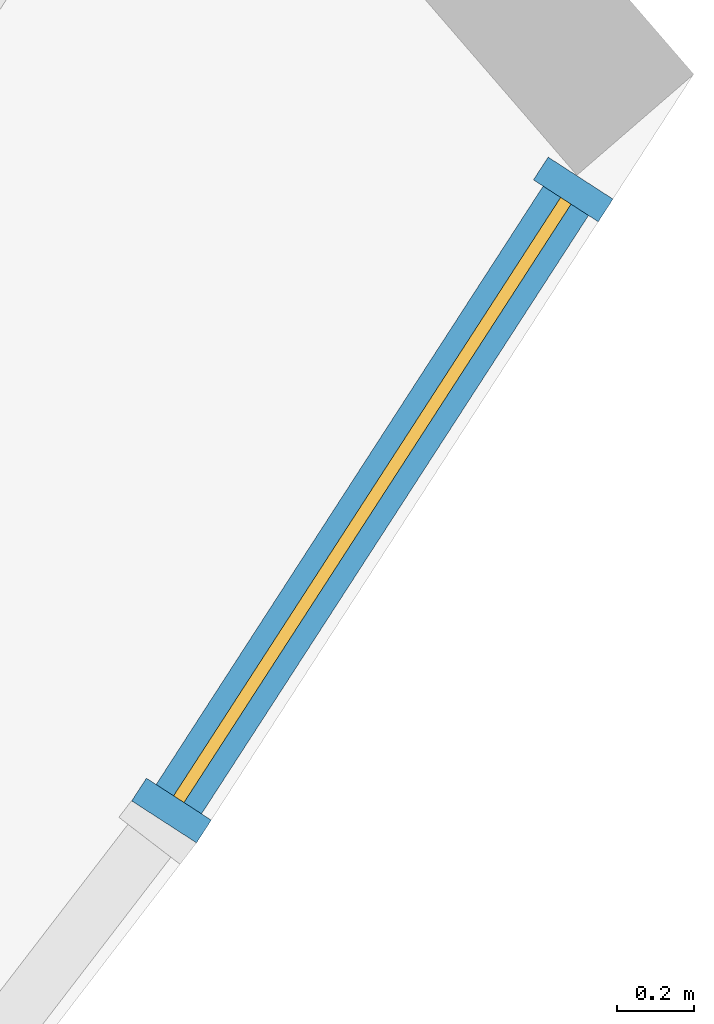
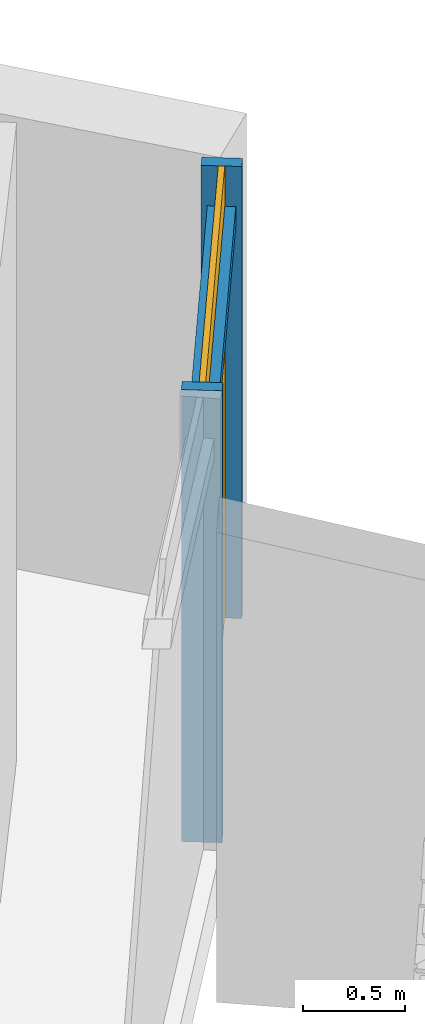
# One storey, part 23 of 31: 3 members, 1 curtain wall.
"""IFC4 building model written with IfcOpenShell, lengths in metres."""

from ifc_helpers import new_model, si_unit, direction, frame, origin, origin_2d, place, context, subcontext, project, spatial, rectangle, extrude, material, material_profile, profile_set, type_object, element, aggregate, save


model = new_model("IFC4")

# Units and contexts
model_context = context("Model", 3, precision=1e-05, world=origin(), true_north=direction((0.0, 1.0)))
body_context = subcontext(model_context, "Body", "Model", "MODEL_VIEW")
ifc_project = project(units=[si_unit("LENGTHUNIT", "METRE"), si_unit("AREAUNIT", "SQUARE_METRE"), si_unit("VOLUMEUNIT", "CUBIC_METRE"), si_unit("PLANEANGLEUNIT", "RADIAN"), si_unit("MASSUNIT", "GRAM", prefix="KILO")], contexts=[model_context])

# Member
ifc_material = material(Name="Aluminium 6063-T6 anodised", Category="aluminium")
ifc_material_profile_1 = material_profile(ifc_material, rectangle(XDim=0.199951171875, YDim=0.070068359375, at=origin_2d()))
ifc_profile_set_1 = profile_set([ifc_material_profile_1], Name="Aluminium 6063-T6 anodised")
member_type_1 = type_object("IfcMemberType", Name="Mullion 70 x 200 aluminium", PredefinedType="MULLION", material=ifc_profile_set_1)
site_placement = place(None, origin())
building_placement = place(site_placement, origin())
storey_placement = place(building_placement, frame((0.0, 0.0, 55.699951171875)))
member_1_placement = place(storey_placement, frame((66.16162109375, -44.16748046875, 0.0), z_axis=(0.0, 0.0, 1.0), x_axis=(-0.839646175777, 0.543133776802, 0.0)))
member_1 = element("IfcMember", 1, at=member_1_placement, type_object=member_type_1, Name="e-cw1-L10-out16/M00", PredefinedType="MULLION", context=body_context, shape_type="SweptSolid", body=[
    extrude(rectangle(XDim=0.199951171875, YDim=0.070068359375, at=origin_2d()), origin(), (0.0, 0.0, 1.0), 2.699951171875),
])

member_2_placement = place(storey_placement, frame((67.2021484375, -42.558837890625, 0.0), z_axis=(0.0, 0.0, 1.0), x_axis=(-0.839646175777, 0.543133776802, 0.0)))
member_2 = element("IfcMember", 2, at=member_2_placement, type_object=member_type_1, Name="e-cw1-L10-out16/M01", PredefinedType="MULLION", context=body_context, shape_type="SweptSolid", body=[
    extrude(rectangle(XDim=0.199951171875, YDim=0.070068359375, at=origin_2d()), origin(), (0.0, 0.0, 1.0), 2.699951171875),
])

ifc_material_profile_2 = material_profile(ifc_material, rectangle(XDim=0.139892578125, YDim=0.1201171875, at=origin_2d()))
ifc_profile_set_2 = profile_set([ifc_material_profile_2], Name="Aluminium 6063-T6 anodised")
member_type_2 = type_object("IfcMemberType", Name="Transom 120 x 140 aluminium", PredefinedType="USERDEFINED", material=ifc_profile_set_2)
member_3_placement = place(storey_placement, frame((66.1806640625, -44.13818359375, 2.400146484375), z_axis=(0.543048360282, 0.83970142217, 0.0), x_axis=(-0.83970142217, 0.543048360282, 0.0)))
member_3 = element("IfcMember", 3, at=member_3_placement, type_object=member_type_2, Name="e-cw1-L10-out16/T00", ObjectType="TRANSOM", PredefinedType="USERDEFINED", context=body_context, shape_type="SweptSolid", body=[
    extrude(rectangle(XDim=0.139892578125, YDim=0.1201171875, at=origin_2d()), origin(), (0.0, 0.0, 1.0), 1.845947265625),
])

# Site, building, storey
site = spatial("IfcSite", under=ifc_project, at=site_placement, CompositionType="ELEMENT")
building = spatial("IfcBuilding", under=site, at=building_placement, Name="Qamariyya Broadcast Tower", CompositionType="ELEMENT")
storey = spatial("IfcBuildingStorey", under=building, at=storey_placement, Name="L10", CompositionType="ELEMENT", Elevation=55.699951171875)

# Curtain wall
curtain_wall_type = type_object("IfcCurtainWallType", Name="Unitised curtain wall, anodised aluminium", PredefinedType="NOTDEFINED", material=ifc_material)
curtain_wall_placement = place(storey_placement, origin())
curtain_wall = element("IfcCurtainWall", 4, at=curtain_wall_placement, inside=storey, type_object=curtain_wall_type, Name="e-cw1-L10-out16", PredefinedType="NOTDEFINED", context=body_context, shape_type="SweptSolid", body=[
    extrude(rectangle(XDim=1.845947265625, YDim=0.031982421875, at=origin_2d()), frame((66.681884765625, -43.363037109375, 0.0), x_axis=(0.543128936599, 0.839649306693, 0.0)), (0.0, 0.0, 1.0), 2.340087890625),
    extrude(rectangle(XDim=1.845947265625, YDim=0.031982421875, at=origin_2d()), frame((66.681884765625, -43.363037109375, 2.4599609375), x_axis=(0.543128936599, 0.839649306693, 0.0)), (0.0, 0.0, 1.0), 0.239990234375),
])

aggregate(curtain_wall, [member_1, member_2, member_3])

save(model, "model.ifc")
